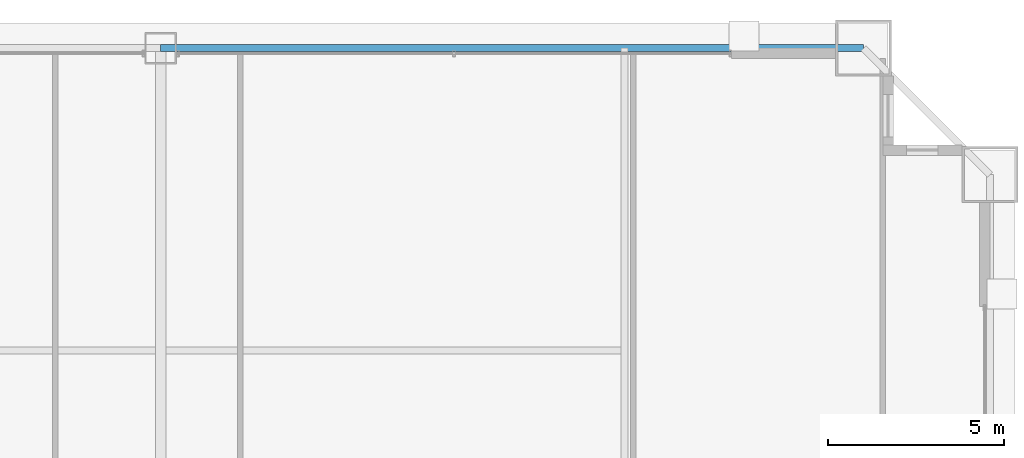
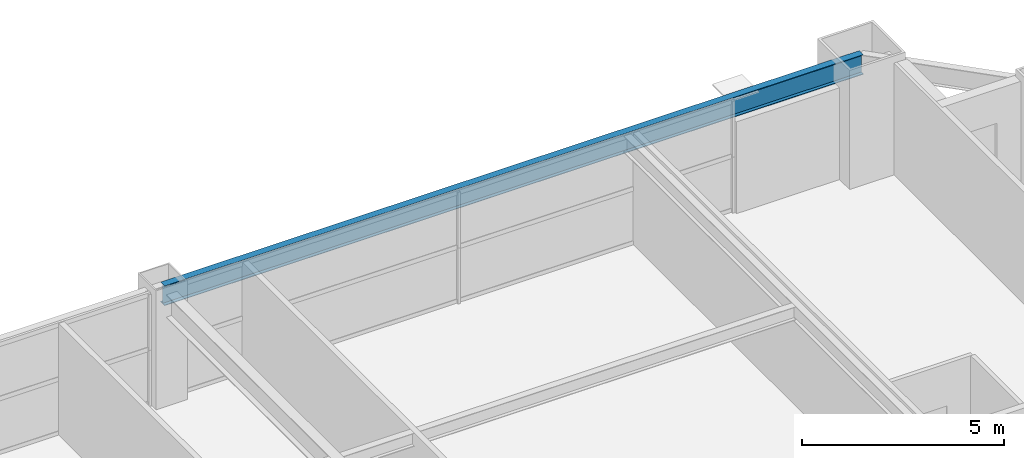
# One storey, part 32 of 39: 1 beam.
"""IFC4 building model written with IfcOpenShell, lengths in metres."""

from ifc_helpers import new_model, si_unit, direction, frame, origin, origin_2d, place, context, subcontext, project, spatial, i_section, extrude, source, transform, mapped, material, material_profile, profile_set, type_object, element, save


model = new_model("IFC4")

# Units and contexts
model_context = context("Model", 3, precision=1e-05, world=origin(), true_north=direction((0.0, 1.0)))
body_context = subcontext(model_context, "Body", "Model", "MODEL_VIEW")
ifc_project = project(units=[si_unit("LENGTHUNIT", "METRE"), si_unit("AREAUNIT", "SQUARE_METRE"), si_unit("VOLUMEUNIT", "CUBIC_METRE"), si_unit("PLANEANGLEUNIT", "RADIAN"), si_unit("MASSUNIT", "GRAM", prefix="KILO"), si_unit("THERMODYNAMICTEMPERATUREUNIT", "KELVIN"), si_unit("POWERUNIT", "WATT")], contexts=[model_context])

# Site, building, storey
site_placement = place(None, origin())
site = spatial("IfcSite", under=ifc_project, at=site_placement, CompositionType="ELEMENT")
building_placement = place(site_placement, origin())
building = spatial("IfcBuilding", under=site, at=building_placement, Name="Yuzanri Waterfront Tower", CompositionType="ELEMENT")
storey_placement = place(building_placement, frame((0.0, 0.0, 134.39990234375)))
storey = spatial("IfcBuildingStorey", under=building, at=storey_placement, Name="L35", CompositionType="ELEMENT", Elevation=134.39990234375)

# Beam
ifc_material = material(Name="Steel Q355B", Category="steel")
ifc_material_profile = material_profile(ifc_material, i_section(OverallWidth=0.199951171875, OverallDepth=0.60009765625, WebThickness=0.010986328125, FlangeThickness=0.01708984375, at=origin_2d()), Name="HN 600x200x11x17")
ifc_profile_set = profile_set([ifc_material_profile], Name="Steel Q355B")
beam_type = type_object("IfcBeamType", Name="Perimeter Spandrel Q355B HN 600x200", PredefinedType="SPANDREL", material=ifc_profile_set)
shared_shape = source(origin(), body_context, "Body", "SweptSolid", [
    extrude(i_section(OverallWidth=0.199951171875, OverallDepth=0.60009765625, WebThickness=0.010986328125, FlangeThickness=0.01708984375, at=origin_2d()), origin(), (0.0, 0.0, 1.0), 20.0),
])
beam_placement = place(storey_placement, frame((57.0, 49.39990234375, 3.080078125), z_axis=(-1.0, 0.0, 0.0), x_axis=(0.0, -1.0, 0.0)))
element("IfcBeam", 1, at=beam_placement, inside=storey, type_object=beam_type, Name="L35 Perimeter Spandrel N3-N2", PredefinedType="SPANDREL", context=body_context, shape_type="MappedRepresentation", body=[
    mapped(shared_shape, transform((0.0, 0.0, 0.0), scale=1.0)),
])

save(model, "model.ifc")
